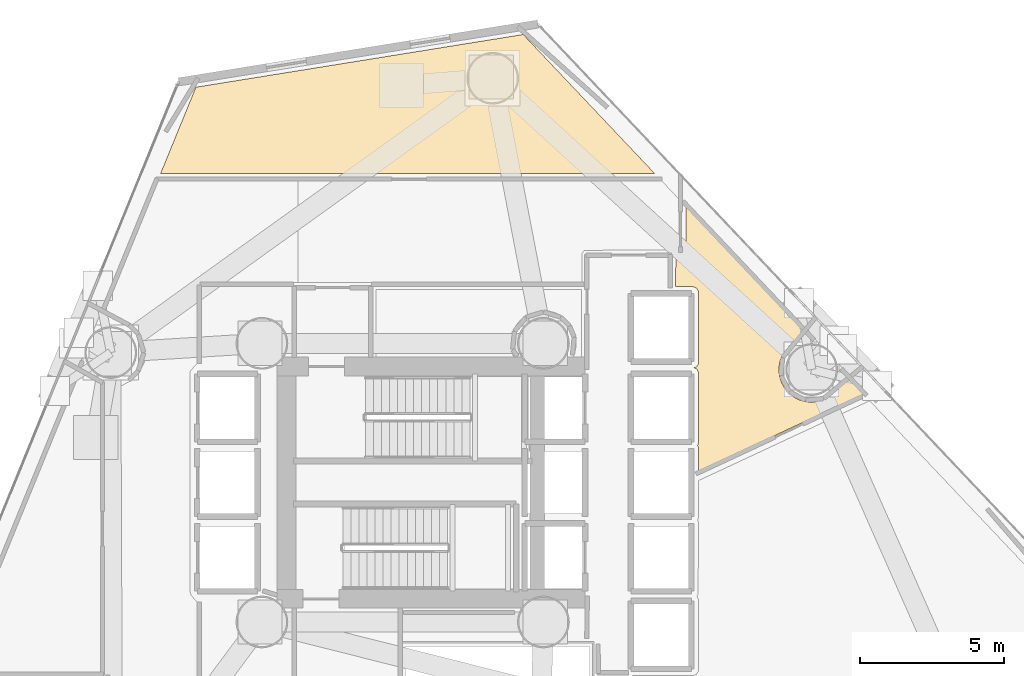
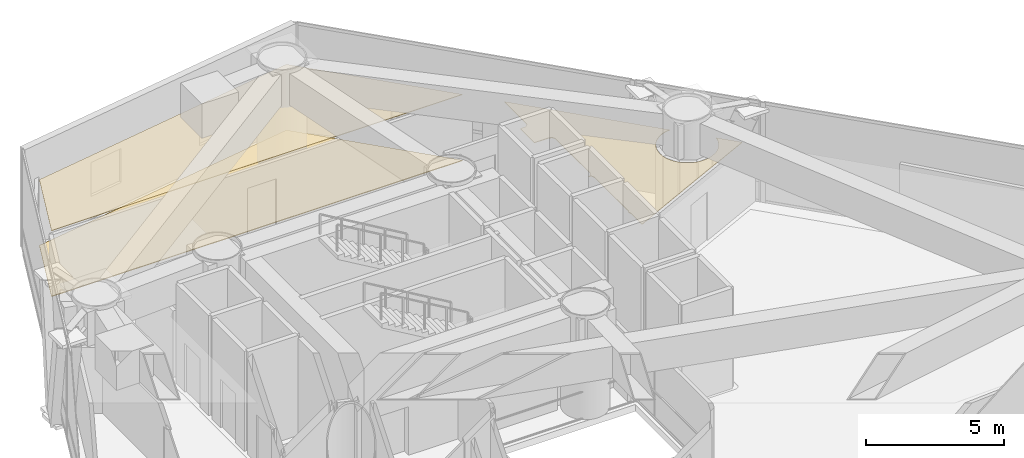
# One storey, part 22 of 22: 3 coverings.
"""IFC4 building model written with IfcOpenShell, lengths in metres."""

from ifc_helpers import new_model, si_unit, direction, frame, origin, place, context, subcontext, project, spatial, polyline, outline, extrude, material, layer, layer_set, type_object, element, save


model = new_model("IFC4")

# Units and contexts
model_context = context("Model", 3, precision=1e-05, world=origin(), true_north=direction((0.0, 1.0)))
body_context = subcontext(model_context, "Body", "Model", "MODEL_VIEW")
ifc_project = project(units=[si_unit("LENGTHUNIT", "METRE"), si_unit("AREAUNIT", "SQUARE_METRE"), si_unit("VOLUMEUNIT", "CUBIC_METRE"), si_unit("PLANEANGLEUNIT", "RADIAN"), si_unit("MASSUNIT", "GRAM", prefix="KILO")], contexts=[model_context])

# Site, building, storey
site_placement = place(None, origin())
site = spatial("IfcSite", under=ifc_project, at=site_placement, CompositionType="ELEMENT")
building_placement = place(site_placement, origin())
building = spatial("IfcBuilding", under=site, at=building_placement, Name="Qianvela Tower", CompositionType="ELEMENT")
storey_placement = place(building_placement, frame((0.0, 0.0, 47.89990234375)))
storey = spatial("IfcBuildingStorey", under=building, at=storey_placement, Name="L11", CompositionType="ELEMENT", Elevation=47.89990234375)

# Coverings
ifc_material_1 = material(Name="Perforated Mineral Acoustic Ceiling Tile")
ifc_layer_1 = layer(ifc_material_1, 0.02490234375)
ifc_layer_set_1 = layer_set([ifc_layer_1], Name="Perforated Mineral Acoustic Ceiling Tile")
covering_type_1 = type_object("IfcCoveringType", Name="COV-CEIL-ACOUSTIC-25", PredefinedType="CEILING", material=ifc_layer_set_1)
covering_1_placement = place(storey_placement, frame((0.0, 0.0, 2.9150390625)))
element("IfcCovering", 1, at=covering_1_placement, inside=storey, type_object=covering_type_1, Name="L11 Acoustic Ceiling L11 Fire Refuge Area 4", PredefinedType="CEILING", context=body_context, shape_type="SweptSolid", body=[
    extrude(outline(polyline([(43.644287109375, 32.697998046875), (43.69580078125, 32.716552734375), (43.702392578125, 32.71923828125), (43.708984375, 32.72265625), (43.715087890625, 32.7265625), (43.720947265625, 32.73095703125), (43.726318359375, 32.736083984375), (43.73095703125, 32.741455078125), (43.7353515625, 32.747314453125), (43.780517578125, 32.81494140625), (43.784423828125, 32.821533203125), (43.787841796875, 32.82861328125), (43.79052734375, 32.836181640625), (43.79248046875, 32.84375), (43.793701171875, 32.8515625), (43.7939453125, 32.859375), (43.7939453125, 35.340576171875), (43.793701171875, 35.348388671875), (43.79248046875, 35.356201171875), (43.79052734375, 35.364013671875), (43.787841796875, 35.371337890625), (43.784423828125, 35.37841796875), (43.780517578125, 35.385009765625), (43.7353515625, 35.45263671875), (43.730712890625, 35.458984375), (43.725341796875, 35.46484375), (43.719482421875, 35.47021484375), (43.71337890625, 35.474609375), (43.70654296875, 35.478759765625), (43.699462890625, 35.482177734375), (43.624267578125, 35.51318359375), (43.616943359375, 35.515869140625), (43.609375, 35.517822265625), (43.6015625, 35.518798828125), (43.59375, 35.519287109375), (43.0, 35.52001953125), (43.00927734375, 36.55224609375), (43.21630859375, 36.553466796875), (43.224365234375, 36.553955078125), (43.232666015625, 36.555419921875), (43.240478515625, 36.5576171875), (43.248291015625, 36.560546875), (43.255615234375, 36.564208984375), (43.2626953125, 36.56884765625), (43.26904296875, 36.573974609375), (43.27490234375, 36.579833984375), (43.3388671875, 36.650390625), (43.34423828125, 36.656982421875), (43.348876953125, 36.6640625), (43.3525390625, 36.67138671875), (43.355712890625, 36.67919921875), (43.35791015625, 36.6875), (43.359130859375, 36.69580078125), (43.359619140625, 36.7041015625), (43.360107421875, 38.3125), (47.665283203125, 33.7607421875), (47.52685546875, 33.756591796875), (47.519775390625, 33.756103515625), (47.5126953125, 33.7548828125), (47.506103515625, 33.753173828125), (47.30712890625, 33.69287109375), (47.2998046875, 33.690185546875), (47.29248046875, 33.68701171875), (47.109375, 33.5888671875), (47.1025390625, 33.5849609375), (47.09619140625, 33.580078125), (46.935791015625, 33.448486328125), (46.929931640625, 33.443115234375), (46.924560546875, 33.437255859375), (46.792724609375, 33.276611328125), (46.7880859375, 33.2705078125), (46.7841796875, 33.263671875), (46.68603515625, 33.080322265625), (46.682861328125, 33.0732421875), (46.68017578125, 33.06591796875), (46.619873046875, 32.866943359375), (46.617919921875, 32.859375), (46.61669921875, 32.8515625), (46.596435546875, 32.644775390625), (46.595947265625, 32.636962890625), (46.596435546875, 32.629150390625), (46.61669921875, 32.42236328125), (46.617919921875, 32.41455078125), (46.619873046875, 32.406982421875), (46.68017578125, 32.2080078125), (46.682861328125, 32.20068359375), (46.68603515625, 32.193603515625), (46.7841796875, 32.010498046875), (46.7880859375, 32.003662109375), (46.792724609375, 31.997314453125), (46.924560546875, 31.836669921875), (46.929931640625, 31.830810546875), (46.935791015625, 31.82568359375), (47.09619140625, 31.69384765625), (47.1025390625, 31.689208984375), (47.109375, 31.68505859375), (47.29248046875, 31.587158203125), (47.2998046875, 31.583740234375), (47.30712890625, 31.5810546875), (47.506103515625, 31.520751953125), (47.513671875, 31.518798828125), (47.521484375, 31.517822265625), (47.728271484375, 31.497314453125), (47.736083984375, 31.4970703125), (47.743896484375, 31.497314453125), (47.95068359375, 31.517822265625), (47.95849609375, 31.518798828125), (47.966064453125, 31.520751953125), (48.164794921875, 31.5810546875), (48.17236328125, 31.583740234375), (48.179443359375, 31.587158203125), (48.362548828125, 31.68505859375), (48.369384765625, 31.689208984375), (48.375732421875, 31.69384765625), (48.536376953125, 31.82568359375), (48.5419921875, 31.830810546875), (48.54736328125, 31.836669921875), (48.67919921875, 31.997314453125), (48.683837890625, 32.003662109375), (48.68798828125, 32.010498046875), (48.785888671875, 32.193603515625), (48.789306640625, 32.20068359375), (48.7919921875, 32.2080078125), (48.852294921875, 32.406982421875), (48.8544921875, 32.416015625), (48.85546875, 32.42529296875), (48.85986328125, 32.497802734375), (49.539306640625, 31.779541015625), (43.800048828125, 29.103271484375), (43.800048828125, 29.89990234375), (43.799560546875, 29.907958984375), (43.79833984375, 29.915771484375), (43.79638671875, 29.923583984375), (43.793701171875, 29.93115234375), (43.7646484375, 30.0), (43.793701171875, 30.06884765625), (43.79638671875, 30.076416015625), (43.79833984375, 30.084228515625), (43.799560546875, 30.092041015625), (43.800048828125, 30.10009765625), (43.800048828125, 32.5), (43.799560546875, 32.509033203125), (43.7978515625, 32.518310546875), (43.79541015625, 32.527099609375), (43.763427734375, 32.61572265625), (43.760498046875, 32.623046875), (43.7568359375, 32.6298828125), (43.75244140625, 32.636474609375), (43.74755859375, 32.642578125), (43.741943359375, 32.648193359375), (43.73583984375, 32.653076171875), (43.729248046875, 32.657470703125), (43.722412109375, 32.6611328125), (43.644287109375, 32.697998046875)])), origin(), (0.0, 0.0, 1.0), 0.025146484375),
])
covering_2_placement = place(storey_placement, frame((0.0, 0.0, 2.9150390625)))
element("IfcCovering", 2, at=covering_2_placement, inside=storey, type_object=covering_type_1, Name="L11 Acoustic Ceiling L11 Fire Refuge Area 5", PredefinedType="CEILING", context=body_context, shape_type="SweptSolid", body=[
    extrude(outline(polyline([(42.2744140625, 39.4599609375), (25.072265625, 39.4599609375), (26.301513671875, 42.4658203125), (37.696044921875, 44.30029296875), (42.2744140625, 39.4599609375)])), origin(), (0.0, 0.0, 1.0), 0.025146484375),
])
ifc_material_2 = material(Name="Honed Stone Terrazzo Flooring", Category="masonry")
ifc_layer_2 = layer(ifc_material_2, 0.030029296875)
ifc_layer_set_2 = layer_set([ifc_layer_2], Name="Honed Stone Terrazzo Flooring")
covering_type_2 = type_object("IfcCoveringType", Name="COV-FLOOR-TERRAZZO-30", PredefinedType="FLOORING", material=ifc_layer_set_2)
covering_3_placement = place(storey_placement, origin())
element("IfcCovering", 3, at=covering_3_placement, inside=storey, type_object=covering_type_2, Name="L11 Finish Flooring L11 Fire Refuge Area 5", PredefinedType="FLOORING", context=body_context, shape_type="SweptSolid", body=[
    extrude(outline(polyline([(42.2744140625, 39.4599609375), (25.072265625, 39.4599609375), (26.301513671875, 42.4658203125), (37.696044921875, 44.30029296875), (42.2744140625, 39.4599609375)])), origin(), (0.0, 0.0, 1.0), 0.030029296875),
])

save(model, "model.ifc")
